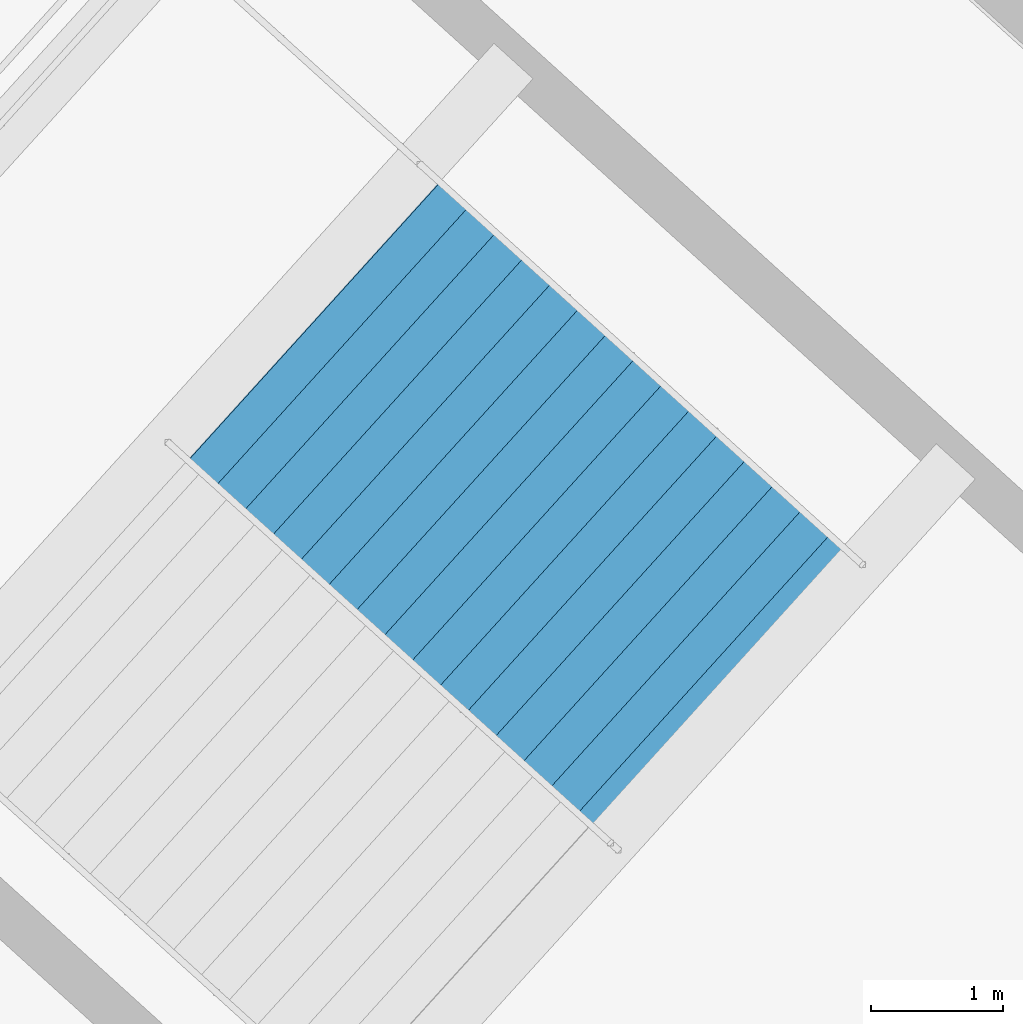
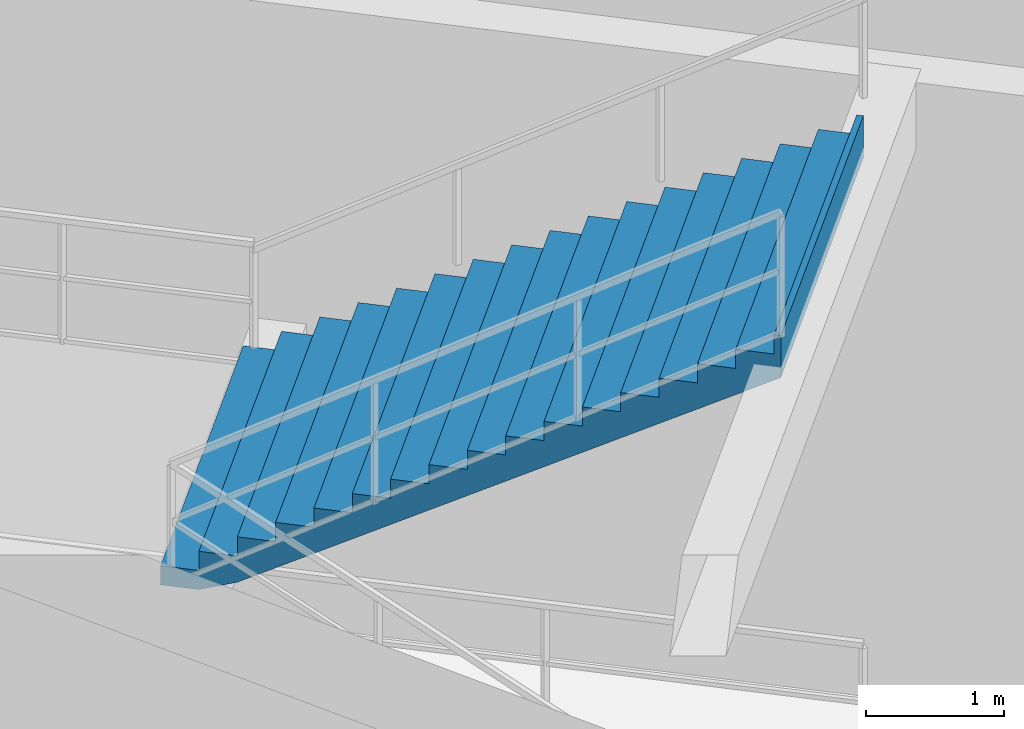
# One storey, part 40 of 48: 1 stair flight, 1 element without a shape of its own.
"""IFC4 building model written with IfcOpenShell, lengths in metres."""

from ifc_helpers import new_model, si_unit, direction, frame, origin, place, context, subcontext, project, spatial, polygons, material, type_object, element, aggregate, save


model = new_model("IFC4")

# Units and contexts
model_context = context("Model", 3, precision=1e-05, world=origin(), true_north=direction((0.0, 1.0)))
body_context = subcontext(model_context, "Body", "Model", "MODEL_VIEW")
ifc_project = project(units=[si_unit("LENGTHUNIT", "METRE"), si_unit("AREAUNIT", "SQUARE_METRE"), si_unit("VOLUMEUNIT", "CUBIC_METRE"), si_unit("PLANEANGLEUNIT", "RADIAN"), si_unit("MASSUNIT", "GRAM", prefix="KILO")], contexts=[model_context])

# Site, building, storey
site_placement = place(None, origin())
site = spatial("IfcSite", under=ifc_project, at=site_placement, CompositionType="ELEMENT")
building_placement = place(site_placement, origin())
building = spatial("IfcBuilding", under=site, at=building_placement, Name="Kazemori Nagisa Stadium", CompositionType="ELEMENT")
storey_placement = place(building_placement, origin())
storey = spatial("IfcBuildingStorey", under=building, at=storey_placement, Name="L00", CompositionType="ELEMENT", Elevation=0.0)

# Stair, stair flight
ifc_material = material(Name="Concrete C36/45 (Fc36)", Category="concrete")
stair_type = type_object("IfcStairType", Name="Stair_CORE_34", PredefinedType="TWO_STRAIGHT_RUN_STAIR", material=ifc_material)
stair_placement = place(storey_placement, origin())
stair = element("IfcStair", 1, at=stair_placement, inside=storey, type_object=stair_type, Name="Exit stair ST01 L00", PredefinedType="TWO_STRAIGHT_RUN_STAIR")
stair_flight_type = type_object("IfcStairFlightType", Name="Flight_CORE_17", PredefinedType="STRAIGHT", material=ifc_material)
stair_flight_placement = place(storey_placement, frame((190.327880859375, 161.597412109375, 2.889892578125), z_axis=(0.0, 0.0, 1.0), x_axis=(0.741331527132, -0.671139007121, 0.0)))
stair_flight = element("IfcStairFlight", 2, at=stair_flight_placement, type_object=stair_flight_type, Name="Exit stair ST01 L00 flight 2", NumberOfRisers=17, NumberOfTreads=16, PredefinedType="STRAIGHT", RiserHeight=0.17, TreadLength=0.285, context=body_context, shape_type="Tessellation", body=[
    polygons([(0.0, -1.425048828125, 0.0), (0.0, -1.425048828125, 0.169921875), (0.284912109375, -1.425048828125, 0.169921875), (0.284912109375, -1.425048828125, 0.340087890625), (0.570068359375, -1.425048828125, 0.340087890625), (0.570068359375, -1.425048828125, 0.510009765625), (0.85498046875, -1.425048828125, 0.510009765625), (0.85498046875, -1.425048828125, 0.679931640625), (1.139892578125, -1.425048828125, 0.679931640625), (1.139892578125, -1.425048828125, 0.85009765625), (1.425048828125, -1.425048828125, 0.85009765625), (1.425048828125, -1.425048828125, 1.02001953125), (1.7099609375, -1.425048828125, 1.02001953125), (1.7099609375, -1.425048828125, 1.18994140625), (1.9951171875, -1.425048828125, 1.18994140625), (1.9951171875, -1.425048828125, 1.360107421875), (2.280029296875, -1.425048828125, 1.360107421875), (2.280029296875, -1.425048828125, 1.530029296875), (2.56494140625, -1.425048828125, 1.530029296875), (2.56494140625, -1.425048828125, 1.699951171875), (2.85009765625, -1.425048828125, 1.699951171875), (2.85009765625, -1.425048828125, 1.8701171875), (3.135009765625, -1.425048828125, 1.8701171875), (3.135009765625, -1.425048828125, 2.0400390625), (3.419921875, -1.425048828125, 2.0400390625), (3.419921875, -1.425048828125, 2.2099609375), (3.705078125, -1.425048828125, 2.2099609375), (3.705078125, -1.425048828125, 2.3798828125), (3.989990234375, -1.425048828125, 2.3798828125), (3.989990234375, -1.425048828125, 2.550048828125), (4.27490234375, -1.425048828125, 2.550048828125), (4.27490234375, -1.425048828125, 2.719970703125), (4.56005859375, -1.425048828125, 2.719970703125), (4.56005859375, -1.425048828125, 2.889892578125), (4.610107421875, -1.425048828125, 2.889892578125), (4.610107421875, -1.425048828125, 2.51708984375), (4.56005859375, -1.425048828125, 2.487060546875), (4.27490234375, -1.425048828125, 2.317138671875), (3.989990234375, -1.425048828125, 2.147216796875), (3.705078125, -1.425048828125, 1.977294921875), (3.419921875, -1.425048828125, 1.80712890625), (3.135009765625, -1.425048828125, 1.63720703125), (2.85009765625, -1.425048828125, 1.46728515625), (2.56494140625, -1.425048828125, 1.297119140625), (2.280029296875, -1.425048828125, 1.127197265625), (1.9951171875, -1.425048828125, 0.957275390625), (1.7099609375, -1.425048828125, 0.787109375), (1.425048828125, -1.425048828125, 0.6171875), (1.139892578125, -1.425048828125, 0.447265625), (0.85498046875, -1.425048828125, 0.277099609375), (0.570068359375, -1.425048828125, 0.107177734375), (0.284912109375, -1.425048828125, 0.0), (0.0, -0.08544921875, 0.0), (0.0, -0.08544921875, 0.169921875), (0.284912109375, -0.08544921875, 0.169921875), (0.284912109375, -0.08544921875, 0.340087890625), (0.570068359375, -0.08544921875, 0.340087890625), (0.570068359375, -0.08544921875, 0.510009765625), (0.85498046875, -0.08544921875, 0.510009765625), (0.85498046875, -0.08544921875, 0.679931640625), (1.139892578125, -0.08544921875, 0.679931640625), (1.139892578125, -0.08544921875, 0.85009765625), (1.425048828125, -0.08544921875, 0.85009765625), (1.425048828125, -0.08544921875, 1.02001953125), (1.7099609375, -0.08544921875, 1.02001953125), (1.7099609375, -0.08544921875, 1.18994140625), (1.9951171875, -0.08544921875, 1.18994140625), (1.9951171875, -0.08544921875, 1.360107421875), (2.280029296875, -0.08544921875, 1.360107421875), (2.280029296875, -0.08544921875, 1.530029296875), (2.56494140625, -0.08544921875, 1.530029296875), (2.56494140625, -0.08544921875, 1.699951171875), (2.85009765625, -0.08544921875, 1.699951171875), (2.85009765625, -0.08544921875, 1.8701171875), (3.135009765625, -0.08544921875, 1.8701171875), (3.135009765625, -0.08544921875, 2.0400390625), (3.419921875, -0.08544921875, 2.0400390625), (3.419921875, -0.08544921875, 2.2099609375), (3.705078125, -0.08544921875, 2.2099609375), (3.705078125, -0.08544921875, 2.3798828125), (3.989990234375, -0.08544921875, 2.3798828125), (3.989990234375, -0.08544921875, 2.550048828125), (4.27490234375, -0.08544921875, 2.550048828125), (4.27490234375, -0.08544921875, 2.719970703125), (4.56005859375, -0.08544921875, 2.719970703125), (4.56005859375, -0.08544921875, 2.889892578125), (4.610107421875, -0.08544921875, 2.889892578125), (4.610107421875, -0.08544921875, 2.51708984375), (4.56005859375, -0.08544921875, 2.487060546875), (4.27490234375, -0.08544921875, 2.317138671875), (3.989990234375, -0.08544921875, 2.147216796875), (3.705078125, -0.08544921875, 1.977294921875), (3.419921875, -0.08544921875, 1.80712890625), (3.135009765625, -0.08544921875, 1.63720703125), (2.85009765625, -0.08544921875, 1.46728515625), (2.56494140625, -0.08544921875, 1.297119140625), (2.280029296875, -0.08544921875, 1.127197265625), (1.9951171875, -0.08544921875, 0.957275390625), (1.7099609375, -0.08544921875, 0.787109375), (1.425048828125, -0.08544921875, 0.6171875), (1.139892578125, -0.08544921875, 0.447265625), (0.85498046875, -0.08544921875, 0.277099609375), (0.570068359375, -0.08544921875, 0.107177734375), (0.284912109375, -0.08544921875, 0.0), (0.0, 0.0, 0.0), (0.0, 0.0, 0.169921875), (0.284912109375, 0.0, 0.169921875), (0.284912109375, 0.0, 0.340087890625), (0.570068359375, 0.0, 0.340087890625), (0.570068359375, 0.0, 0.510009765625), (0.85498046875, 0.0, 0.510009765625), (0.85498046875, 0.0, 0.679931640625), (1.139892578125, 0.0, 0.679931640625), (1.139892578125, 0.0, 0.85009765625), (1.425048828125, 0.0, 0.85009765625), (1.425048828125, 0.0, 1.02001953125), (1.7099609375, 0.0, 1.02001953125), (1.7099609375, 0.0, 1.18994140625), (1.9951171875, 0.0, 1.18994140625), (1.9951171875, 0.0, 1.360107421875), (2.280029296875, 0.0, 1.360107421875), (2.280029296875, 0.0, 1.530029296875), (2.56494140625, 0.0, 1.530029296875), (2.56494140625, 0.0, 1.699951171875), (2.85009765625, 0.0, 1.699951171875), (2.85009765625, 0.0, 1.8701171875), (3.135009765625, 0.0, 1.8701171875), (3.135009765625, 0.0, 2.0400390625), (3.419921875, 0.0, 2.0400390625), (3.419921875, 0.0, 2.2099609375), (3.705078125, 0.0, 2.2099609375), (3.705078125, 0.0, 2.3798828125), (3.989990234375, 0.0, 2.3798828125), (3.989990234375, 0.0, 2.550048828125), (4.27490234375, 0.0, 2.550048828125), (4.27490234375, 0.0, 2.719970703125), (4.56005859375, 0.0, 2.719970703125), (4.56005859375, 0.0, 2.889892578125), (4.610107421875, 0.0, 2.889892578125), (4.610107421875, 0.0, 2.51708984375), (4.56005859375, 0.0, 2.487060546875), (4.27490234375, 0.0, 2.317138671875), (3.989990234375, 0.0, 2.147216796875), (3.705078125, 0.0, 1.977294921875), (3.419921875, 0.0, 1.80712890625), (3.135009765625, 0.0, 1.63720703125), (2.85009765625, 0.0, 1.46728515625), (2.56494140625, 0.0, 1.297119140625), (2.280029296875, 0.0, 1.127197265625), (1.9951171875, 0.0, 0.957275390625), (1.7099609375, 0.0, 0.787109375), (1.425048828125, 0.0, 0.6171875), (1.139892578125, 0.0, 0.447265625), (0.85498046875, 0.0, 0.277099609375), (0.570068359375, 0.0, 0.107177734375), (0.284912109375, 0.0, 0.0), (0.0, 0.08544921875, 0.0), (0.0, 0.08544921875, 0.169921875), (0.284912109375, 0.08544921875, 0.169921875), (0.284912109375, 0.08544921875, 0.340087890625), (0.570068359375, 0.08544921875, 0.340087890625), (0.570068359375, 0.08544921875, 0.510009765625), (0.85498046875, 0.08544921875, 0.510009765625), (0.85498046875, 0.08544921875, 0.679931640625), (1.139892578125, 0.08544921875, 0.679931640625), (1.139892578125, 0.08544921875, 0.85009765625), (1.425048828125, 0.08544921875, 0.85009765625), (1.425048828125, 0.08544921875, 1.02001953125), (1.7099609375, 0.08544921875, 1.02001953125), (1.7099609375, 0.08544921875, 1.18994140625), (1.9951171875, 0.08544921875, 1.18994140625), (1.9951171875, 0.08544921875, 1.360107421875), (2.280029296875, 0.08544921875, 1.360107421875), (2.280029296875, 0.08544921875, 1.530029296875), (2.56494140625, 0.08544921875, 1.530029296875), (2.56494140625, 0.08544921875, 1.699951171875), (2.85009765625, 0.08544921875, 1.699951171875), (2.85009765625, 0.08544921875, 1.8701171875), (3.135009765625, 0.08544921875, 1.8701171875), (3.135009765625, 0.08544921875, 2.0400390625), (3.419921875, 0.08544921875, 2.0400390625), (3.419921875, 0.08544921875, 2.2099609375), (3.705078125, 0.08544921875, 2.2099609375), (3.705078125, 0.08544921875, 2.3798828125), (3.989990234375, 0.08544921875, 2.3798828125), (3.989990234375, 0.08544921875, 2.550048828125), (4.27490234375, 0.08544921875, 2.550048828125), (4.27490234375, 0.08544921875, 2.719970703125), (4.56005859375, 0.08544921875, 2.719970703125), (4.56005859375, 0.08544921875, 2.889892578125), (4.610107421875, 0.08544921875, 2.889892578125), (4.610107421875, 0.08544921875, 2.51708984375), (4.56005859375, 0.08544921875, 2.487060546875), (4.27490234375, 0.08544921875, 2.317138671875), (3.989990234375, 0.08544921875, 2.147216796875), (3.705078125, 0.08544921875, 1.977294921875), (3.419921875, 0.08544921875, 1.80712890625), (3.135009765625, 0.08544921875, 1.63720703125), (2.85009765625, 0.08544921875, 1.46728515625), (2.56494140625, 0.08544921875, 1.297119140625), (2.280029296875, 0.08544921875, 1.127197265625), (1.9951171875, 0.08544921875, 0.957275390625), (1.7099609375, 0.08544921875, 0.787109375), (1.425048828125, 0.08544921875, 0.6171875), (1.139892578125, 0.08544921875, 0.447265625), (0.85498046875, 0.08544921875, 0.277099609375), (0.570068359375, 0.08544921875, 0.107177734375), (0.284912109375, 0.08544921875, 0.0), (0.0, 1.425048828125, 0.0), (0.0, 1.425048828125, 0.169921875), (0.284912109375, 1.425048828125, 0.169921875), (0.284912109375, 1.425048828125, 0.340087890625), (0.570068359375, 1.425048828125, 0.340087890625), (0.570068359375, 1.425048828125, 0.510009765625), (0.85498046875, 1.425048828125, 0.510009765625), (0.85498046875, 1.425048828125, 0.679931640625), (1.139892578125, 1.425048828125, 0.679931640625), (1.139892578125, 1.425048828125, 0.85009765625), (1.425048828125, 1.425048828125, 0.85009765625), (1.425048828125, 1.425048828125, 1.02001953125), (1.7099609375, 1.425048828125, 1.02001953125), (1.7099609375, 1.425048828125, 1.18994140625), (1.9951171875, 1.425048828125, 1.18994140625), (1.9951171875, 1.425048828125, 1.360107421875), (2.280029296875, 1.425048828125, 1.360107421875), (2.280029296875, 1.425048828125, 1.530029296875), (2.56494140625, 1.425048828125, 1.530029296875), (2.56494140625, 1.425048828125, 1.699951171875), (2.85009765625, 1.425048828125, 1.699951171875), (2.85009765625, 1.425048828125, 1.8701171875), (3.135009765625, 1.425048828125, 1.8701171875), (3.135009765625, 1.425048828125, 2.0400390625), (3.419921875, 1.425048828125, 2.0400390625), (3.419921875, 1.425048828125, 2.2099609375), (3.705078125, 1.425048828125, 2.2099609375), (3.705078125, 1.425048828125, 2.3798828125), (3.989990234375, 1.425048828125, 2.3798828125), (3.989990234375, 1.425048828125, 2.550048828125), (4.27490234375, 1.425048828125, 2.550048828125), (4.27490234375, 1.425048828125, 2.719970703125), (4.56005859375, 1.425048828125, 2.719970703125), (4.56005859375, 1.425048828125, 2.889892578125), (4.610107421875, 1.425048828125, 2.889892578125), (4.610107421875, 1.425048828125, 2.51708984375), (4.56005859375, 1.425048828125, 2.487060546875), (4.27490234375, 1.425048828125, 2.317138671875), (3.989990234375, 1.425048828125, 2.147216796875), (3.705078125, 1.425048828125, 1.977294921875), (3.419921875, 1.425048828125, 1.80712890625), (3.135009765625, 1.425048828125, 1.63720703125), (2.85009765625, 1.425048828125, 1.46728515625), (2.56494140625, 1.425048828125, 1.297119140625), (2.280029296875, 1.425048828125, 1.127197265625), (1.9951171875, 1.425048828125, 0.957275390625), (1.7099609375, 1.425048828125, 0.787109375), (1.425048828125, 1.425048828125, 0.6171875), (1.139892578125, 1.425048828125, 0.447265625), (0.85498046875, 1.425048828125, 0.277099609375), (0.570068359375, 1.425048828125, 0.107177734375), (0.284912109375, 1.425048828125, 0.0)], [[[1, 2, 54]], [[1, 54, 53]], [[2, 3, 55]], [[2, 55, 54]], [[3, 4, 56]], [[3, 56, 55]], [[4, 5, 57]], [[4, 57, 56]], [[5, 6, 58]], [[5, 58, 57]], [[6, 7, 59]], [[6, 59, 58]], [[7, 8, 60]], [[7, 60, 59]], [[8, 9, 61]], [[8, 61, 60]], [[9, 10, 62]], [[9, 62, 61]], [[10, 11, 63]], [[10, 63, 62]], [[11, 12, 64]], [[11, 64, 63]], [[12, 13, 65]], [[12, 65, 64]], [[13, 14, 66]], [[13, 66, 65]], [[14, 15, 67]], [[14, 67, 66]], [[15, 16, 68]], [[15, 68, 67]], [[16, 17, 69]], [[16, 69, 68]], [[17, 18, 70]], [[17, 70, 69]], [[18, 19, 71]], [[18, 71, 70]], [[19, 20, 72]], [[19, 72, 71]], [[20, 21, 73]], [[20, 73, 72]], [[21, 22, 74]], [[21, 74, 73]], [[22, 23, 75]], [[22, 75, 74]], [[23, 24, 76]], [[23, 76, 75]], [[24, 25, 77]], [[24, 77, 76]], [[25, 26, 78]], [[25, 78, 77]], [[26, 27, 79]], [[26, 79, 78]], [[27, 28, 80]], [[27, 80, 79]], [[28, 29, 81]], [[28, 81, 80]], [[29, 30, 82]], [[29, 82, 81]], [[30, 31, 83]], [[30, 83, 82]], [[31, 32, 84]], [[31, 84, 83]], [[32, 33, 85]], [[32, 85, 84]], [[33, 34, 86]], [[33, 86, 85]], [[34, 35, 87]], [[34, 87, 86]], [[35, 36, 88]], [[35, 88, 87]], [[36, 37, 89]], [[36, 89, 88]], [[37, 38, 90]], [[37, 90, 89]], [[38, 39, 91]], [[38, 91, 90]], [[39, 40, 92]], [[39, 92, 91]], [[40, 41, 93]], [[40, 93, 92]], [[41, 42, 94]], [[41, 94, 93]], [[42, 43, 95]], [[42, 95, 94]], [[43, 44, 96]], [[43, 96, 95]], [[44, 45, 97]], [[44, 97, 96]], [[45, 46, 98]], [[45, 98, 97]], [[46, 47, 99]], [[46, 99, 98]], [[47, 48, 100]], [[47, 100, 99]], [[48, 49, 101]], [[48, 101, 100]], [[49, 50, 102]], [[49, 102, 101]], [[50, 51, 103]], [[50, 103, 102]], [[51, 52, 104]], [[51, 104, 103]], [[52, 1, 53]], [[52, 53, 104]], [[53, 54, 106]], [[53, 106, 105]], [[54, 55, 107]], [[54, 107, 106]], [[55, 56, 108]], [[55, 108, 107]], [[56, 57, 109]], [[56, 109, 108]], [[57, 58, 110]], [[57, 110, 109]], [[58, 59, 111]], [[58, 111, 110]], [[59, 60, 112]], [[59, 112, 111]], [[60, 61, 113]], [[60, 113, 112]], [[61, 62, 114]], [[61, 114, 113]], [[62, 63, 115]], [[62, 115, 114]], [[63, 64, 116]], [[63, 116, 115]], [[64, 65, 117]], [[64, 117, 116]], [[65, 66, 118]], [[65, 118, 117]], [[66, 67, 119]], [[66, 119, 118]], [[67, 68, 120]], [[67, 120, 119]], [[68, 69, 121]], [[68, 121, 120]], [[69, 70, 122]], [[69, 122, 121]], [[70, 71, 123]], [[70, 123, 122]], [[71, 72, 124]], [[71, 124, 123]], [[72, 73, 125]], [[72, 125, 124]], [[73, 74, 126]], [[73, 126, 125]], [[74, 75, 127]], [[74, 127, 126]], [[75, 76, 128]], [[75, 128, 127]], [[76, 77, 129]], [[76, 129, 128]], [[77, 78, 130]], [[77, 130, 129]], [[78, 79, 131]], [[78, 131, 130]], [[79, 80, 132]], [[79, 132, 131]], [[80, 81, 133]], [[80, 133, 132]], [[81, 82, 134]], [[81, 134, 133]], [[82, 83, 135]], [[82, 135, 134]], [[83, 84, 136]], [[83, 136, 135]], [[84, 85, 137]], [[84, 137, 136]], [[85, 86, 138]], [[85, 138, 137]], [[86, 87, 139]], [[86, 139, 138]], [[87, 88, 140]], [[87, 140, 139]], [[88, 89, 141]], [[88, 141, 140]], [[89, 90, 142]], [[89, 142, 141]], [[90, 91, 143]], [[90, 143, 142]], [[91, 92, 144]], [[91, 144, 143]], [[92, 93, 145]], [[92, 145, 144]], [[93, 94, 146]], [[93, 146, 145]], [[94, 95, 147]], [[94, 147, 146]], [[95, 96, 148]], [[95, 148, 147]], [[96, 97, 149]], [[96, 149, 148]], [[97, 98, 150]], [[97, 150, 149]], [[98, 99, 151]], [[98, 151, 150]], [[99, 100, 152]], [[99, 152, 151]], [[100, 101, 153]], [[100, 153, 152]], [[101, 102, 154]], [[101, 154, 153]], [[102, 103, 155]], [[102, 155, 154]], [[103, 104, 156]], [[103, 156, 155]], [[104, 53, 105]], [[104, 105, 156]], [[105, 106, 158]], [[105, 158, 157]], [[106, 107, 159]], [[106, 159, 158]], [[107, 108, 160]], [[107, 160, 159]], [[108, 109, 161]], [[108, 161, 160]], [[109, 110, 162]], [[109, 162, 161]], [[110, 111, 163]], [[110, 163, 162]], [[111, 112, 164]], [[111, 164, 163]], [[112, 113, 165]], [[112, 165, 164]], [[113, 114, 166]], [[113, 166, 165]], [[114, 115, 167]], [[114, 167, 166]], [[115, 116, 168]], [[115, 168, 167]], [[116, 117, 169]], [[116, 169, 168]], [[117, 118, 170]], [[117, 170, 169]], [[118, 119, 171]], [[118, 171, 170]], [[119, 120, 172]], [[119, 172, 171]], [[120, 121, 173]], [[120, 173, 172]], [[121, 122, 174]], [[121, 174, 173]], [[122, 123, 175]], [[122, 175, 174]], [[123, 124, 176]], [[123, 176, 175]], [[124, 125, 177]], [[124, 177, 176]], [[125, 126, 178]], [[125, 178, 177]], [[126, 127, 179]], [[126, 179, 178]], [[127, 128, 180]], [[127, 180, 179]], [[128, 129, 181]], [[128, 181, 180]], [[129, 130, 182]], [[129, 182, 181]], [[130, 131, 183]], [[130, 183, 182]], [[131, 132, 184]], [[131, 184, 183]], [[132, 133, 185]], [[132, 185, 184]], [[133, 134, 186]], [[133, 186, 185]], [[134, 135, 187]], [[134, 187, 186]], [[135, 136, 188]], [[135, 188, 187]], [[136, 137, 189]], [[136, 189, 188]], [[137, 138, 190]], [[137, 190, 189]], [[138, 139, 191]], [[138, 191, 190]], [[139, 140, 192]], [[139, 192, 191]], [[140, 141, 193]], [[140, 193, 192]], [[141, 142, 194]], [[141, 194, 193]], [[142, 143, 195]], [[142, 195, 194]], [[143, 144, 196]], [[143, 196, 195]], [[144, 145, 197]], [[144, 197, 196]], [[145, 146, 198]], [[145, 198, 197]], [[146, 147, 199]], [[146, 199, 198]], [[147, 148, 200]], [[147, 200, 199]], [[148, 149, 201]], [[148, 201, 200]], [[149, 150, 202]], [[149, 202, 201]], [[150, 151, 203]], [[150, 203, 202]], [[151, 152, 204]], [[151, 204, 203]], [[152, 153, 205]], [[152, 205, 204]], [[153, 154, 206]], [[153, 206, 205]], [[154, 155, 207]], [[154, 207, 206]], [[155, 156, 208]], [[155, 208, 207]], [[156, 105, 157]], [[156, 157, 208]], [[157, 158, 210]], [[157, 210, 209]], [[158, 159, 211]], [[158, 211, 210]], [[159, 160, 212]], [[159, 212, 211]], [[160, 161, 213]], [[160, 213, 212]], [[161, 162, 214]], [[161, 214, 213]], [[162, 163, 215]], [[162, 215, 214]], [[163, 164, 216]], [[163, 216, 215]], [[164, 165, 217]], [[164, 217, 216]], [[165, 166, 218]], [[165, 218, 217]], [[166, 167, 219]], [[166, 219, 218]], [[167, 168, 220]], [[167, 220, 219]], [[168, 169, 221]], [[168, 221, 220]], [[169, 170, 222]], [[169, 222, 221]], [[170, 171, 223]], [[170, 223, 222]], [[171, 172, 224]], [[171, 224, 223]], [[172, 173, 225]], [[172, 225, 224]], [[173, 174, 226]], [[173, 226, 225]], [[174, 175, 227]], [[174, 227, 226]], [[175, 176, 228]], [[175, 228, 227]], [[176, 177, 229]], [[176, 229, 228]], [[177, 178, 230]], [[177, 230, 229]], [[178, 179, 231]], [[178, 231, 230]], [[179, 180, 232]], [[179, 232, 231]], [[180, 181, 233]], [[180, 233, 232]], [[181, 182, 234]], [[181, 234, 233]], [[182, 183, 235]], [[182, 235, 234]], [[183, 184, 236]], [[183, 236, 235]], [[184, 185, 237]], [[184, 237, 236]], [[185, 186, 238]], [[185, 238, 237]], [[186, 187, 239]], [[186, 239, 238]], [[187, 188, 240]], [[187, 240, 239]], [[188, 189, 241]], [[188, 241, 240]], [[189, 190, 242]], [[189, 242, 241]], [[190, 191, 243]], [[190, 243, 242]], [[191, 192, 244]], [[191, 244, 243]], [[192, 193, 245]], [[192, 245, 244]], [[193, 194, 246]], [[193, 246, 245]], [[194, 195, 247]], [[194, 247, 246]], [[195, 196, 248]], [[195, 248, 247]], [[196, 197, 249]], [[196, 249, 248]], [[197, 198, 250]], [[197, 250, 249]], [[198, 199, 251]], [[198, 251, 250]], [[199, 200, 252]], [[199, 252, 251]], [[200, 201, 253]], [[200, 253, 252]], [[201, 202, 254]], [[201, 254, 253]], [[202, 203, 255]], [[202, 255, 254]], [[203, 204, 256]], [[203, 256, 255]], [[204, 205, 257]], [[204, 257, 256]], [[205, 206, 258]], [[205, 258, 257]], [[206, 207, 259]], [[206, 259, 258]], [[207, 208, 260]], [[207, 260, 259]], [[208, 157, 209]], [[208, 209, 260]], [[3, 2, 1]], [[209, 210, 211]], [[52, 3, 1]], [[209, 211, 260]], [[51, 3, 52]], [[260, 211, 259]], [[5, 3, 51]], [[259, 211, 213]], [[5, 4, 3]], [[211, 212, 213]], [[50, 5, 51]], [[259, 213, 258]], [[7, 5, 50]], [[258, 213, 215]], [[7, 6, 5]], [[213, 214, 215]], [[49, 7, 50]], [[258, 215, 257]], [[9, 7, 49]], [[257, 215, 217]], [[9, 8, 7]], [[215, 216, 217]], [[48, 9, 49]], [[257, 217, 256]], [[11, 9, 48]], [[256, 217, 219]], [[11, 10, 9]], [[217, 218, 219]], [[47, 11, 48]], [[256, 219, 255]], [[13, 11, 47]], [[255, 219, 221]], [[13, 12, 11]], [[219, 220, 221]], [[46, 13, 47]], [[255, 221, 254]], [[15, 13, 46]], [[254, 221, 223]], [[15, 14, 13]], [[221, 222, 223]], [[45, 15, 46]], [[254, 223, 253]], [[17, 15, 45]], [[253, 223, 225]], [[17, 16, 15]], [[223, 224, 225]], [[44, 17, 45]], [[253, 225, 252]], [[19, 17, 44]], [[252, 225, 227]], [[19, 18, 17]], [[225, 226, 227]], [[43, 19, 44]], [[252, 227, 251]], [[21, 19, 43]], [[251, 227, 229]], [[21, 20, 19]], [[227, 228, 229]], [[42, 21, 43]], [[251, 229, 250]], [[23, 21, 42]], [[250, 229, 231]], [[23, 22, 21]], [[229, 230, 231]], [[41, 23, 42]], [[250, 231, 249]], [[25, 23, 41]], [[249, 231, 233]], [[25, 24, 23]], [[231, 232, 233]], [[40, 25, 41]], [[249, 233, 248]], [[27, 25, 40]], [[248, 233, 235]], [[27, 26, 25]], [[233, 234, 235]], [[39, 27, 40]], [[248, 235, 247]], [[29, 27, 39]], [[247, 235, 237]], [[29, 28, 27]], [[235, 236, 237]], [[38, 29, 39]], [[247, 237, 246]], [[31, 29, 38]], [[246, 237, 239]], [[31, 30, 29]], [[237, 238, 239]], [[37, 31, 38]], [[246, 239, 245]], [[33, 31, 37]], [[245, 239, 241]], [[33, 32, 31]], [[239, 240, 241]], [[36, 33, 37]], [[245, 241, 244]], [[35, 33, 36]], [[244, 241, 243]], [[35, 34, 33]], [[241, 242, 243]]], closed=True),
])
aggregate(stair, [stair_flight])

save(model, "model.ifc")
